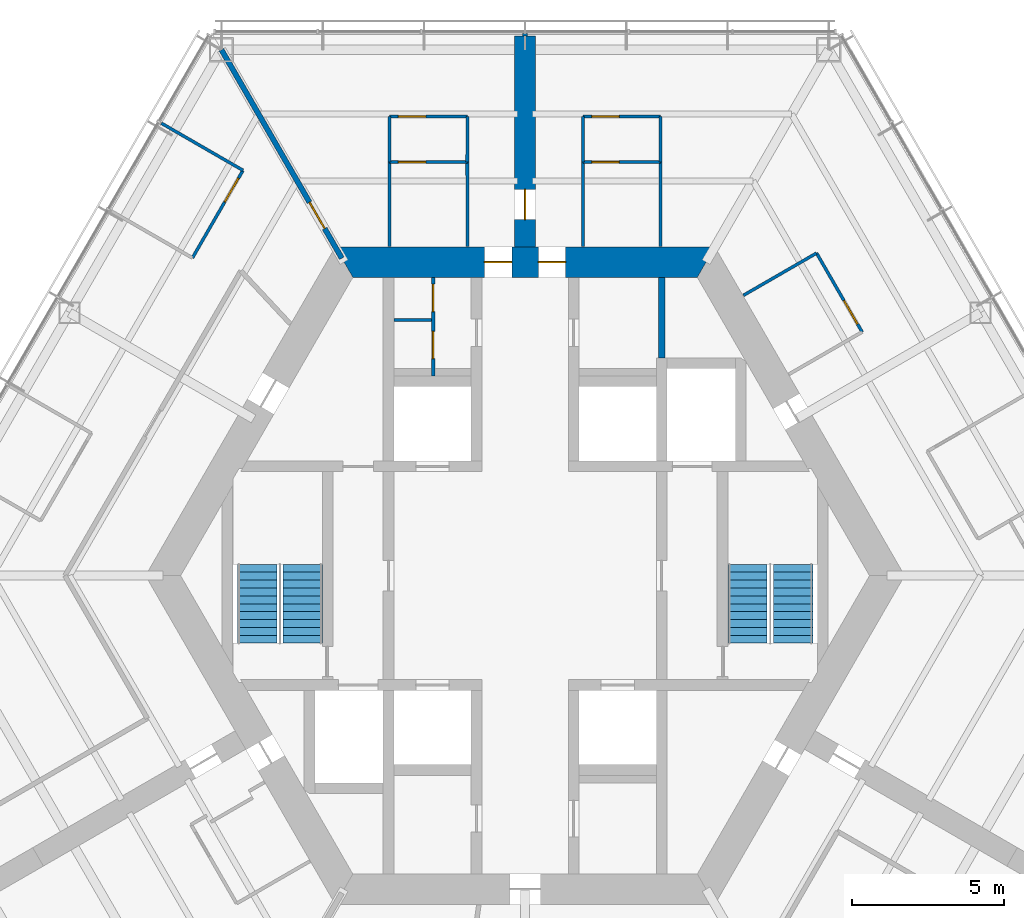
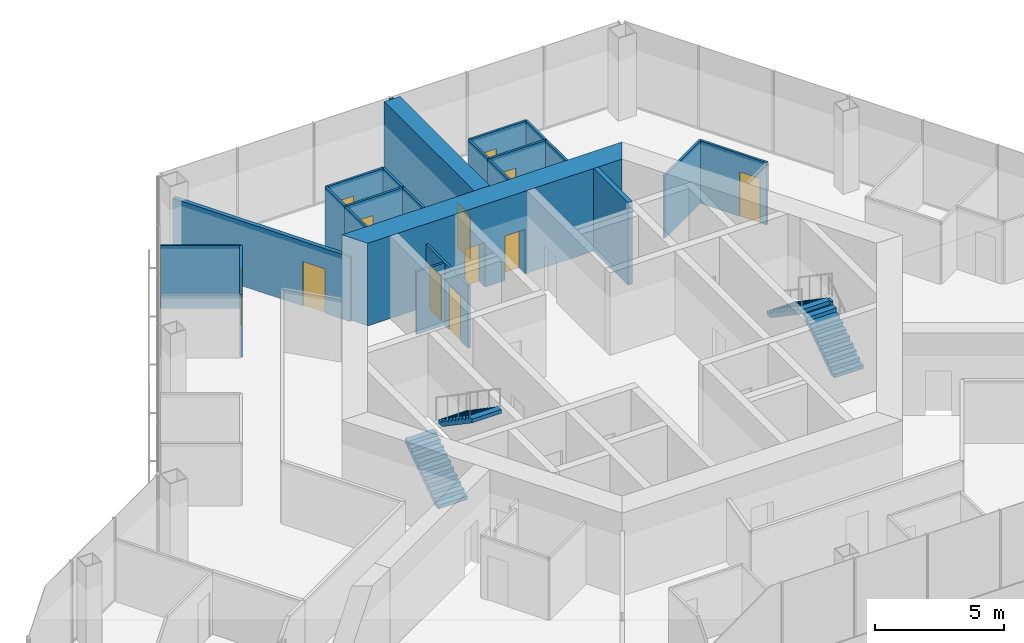
# One storey, part 15 of 18: 23 walls, 12 doors, 4 stair flights, 12 openings, 2 elements without a shape of their own.
"""IFC4 building model written with IfcOpenShell, lengths in metres."""

from ifc_helpers import new_model, si_unit, direction, frame, frame_2d, origin, place, context, subcontext, project, spatial, polyline, rectangle, outline, extrude, material, layer, layer_set, type_object, element, fill, aggregate, save


model = new_model("IFC4")

# Units and contexts
model_context = context("Model", 3, precision=1e-05, world=origin(), true_north=direction((0.0, 1.0)))
body_context = subcontext(model_context, "Body", "Model", "MODEL_VIEW")
ifc_project = project(units=[si_unit("LENGTHUNIT", "METRE"), si_unit("AREAUNIT", "SQUARE_METRE"), si_unit("VOLUMEUNIT", "CUBIC_METRE"), si_unit("PLANEANGLEUNIT", "RADIAN"), si_unit("MASSUNIT", "GRAM", prefix="KILO")], contexts=[model_context])

# Site, building, storey
site_placement = place(None, origin())
site = spatial("IfcSite", under=ifc_project, at=site_placement, CompositionType="ELEMENT")
building_placement = place(site_placement, origin())
building = spatial("IfcBuilding", under=site, at=building_placement, Name="Kasaneha Research Tower", CompositionType="ELEMENT")
storey_placement = place(building_placement, frame((0.0, 0.0, 187.699951171875)))
storey = spatial("IfcBuildingStorey", under=building, at=storey_placement, Name="L47", CompositionType="ELEMENT", Elevation=187.699951171875)

# Wall, openings, doors
ifc_material_1 = material(Name="Concrete Fc70", Category="concrete")
ifc_layer_1 = layer(ifc_material_1, 1.0)
ifc_layer_set_1 = layer_set([ifc_layer_1], Name="Core wall 1000 Fc70")
wall_type_1 = type_object("IfcWallType", Name="Core wall 1000 Fc70", PredefinedType="SHEAR", material=ifc_layer_set_1)
wall_1_placement = place(storey_placement, frame((5.961181640625, 10.324951171875, 0.0), z_axis=(0.0, 0.0, 1.0), x_axis=(-1.0, 0.0, 0.0)))
wall_1 = element("IfcWall", 1, at=wall_1_placement, inside=storey, type_object=wall_type_1, Name="Core wall 090 L47", PredefinedType="SHEAR", context=body_context, shape_type="SweptSolid", body=[
    extrude(outline(polyline([(-0.28857421875, -0.5), (4.62353515625, -0.5), (5.5234375, -0.5), (6.398681640625, -0.5), (7.298583984375, -0.5), (12.2109375, -0.5), (11.6337890625, 0.5), (7.298583984375, 0.5), (6.398681640625, 0.5), (5.5234375, 0.5), (4.62353515625, 0.5), (0.28857421875, 0.5), (-0.28857421875, -0.5)])), origin(), (0.0, 0.0, 1.0), 3.900146484375),
])
opening_1_placement = place(wall_1_placement, frame((6.398681640625, 0.0, 0.0)))
opening_1 = element("IfcOpeningElement", 2, at=opening_1_placement, cuts=wall_1, Name="Opening L47-D01", PredefinedType="OPENING", context=body_context, shape_type="SweptSolid", body=[
    extrude(rectangle(XDim=0.89990234375, YDim=2.10009765625, at=frame_2d((0.449951171875, 1.050048828125))), frame((0.0, 0.510009765625, 0.0), z_axis=(0.0, -1.0, 0.0), x_axis=(1.0, 0.0, 0.0)), (0.0, 0.0, 1.0), 1.02001953125),
])
opening_2_placement = place(wall_1_placement, frame((4.62353515625, 0.0, 0.0)))
opening_2 = element("IfcOpeningElement", 3, at=opening_2_placement, cuts=wall_1, Name="Opening L47-D02", PredefinedType="OPENING", context=body_context, shape_type="SweptSolid", body=[
    extrude(rectangle(XDim=0.89990234375, YDim=2.10009765625, at=frame_2d((0.449951171875, 1.050048828125))), frame((0.0, 0.510009765625, 0.0), z_axis=(0.0, -1.0, 0.0), x_axis=(1.0, 0.0, 0.0)), (0.0, 0.0, 1.0), 1.02001953125),
])
ifc_material_2 = material(Name="Steel", Category="steel")
door_type_1 = type_object("IfcDoorType", Name="Toilet door FD20 900x2100", OperationType="NOTDEFINED", PredefinedType="DOOR", material=ifc_material_2)
door_1_placement = place(opening_1_placement, origin())
door_1 = element("IfcDoor", 4, at=door_1_placement, inside=storey, type_object=door_type_1, Name="Core door north 1 L47-D01", OperationType="SINGLE_SWING_RIGHT", OverallHeight=2.10009765625, OverallWidth=0.89990234375, PredefinedType="DOOR", context=body_context, shape_type="SweptSolid", body=[
    extrude(rectangle(XDim=0.89990234375, YDim=2.10009765625, at=frame_2d((0.449951171875, 1.050048828125))), frame((0.0, 0.02490234375, 0.0), z_axis=(0.0, -1.0, 0.0), x_axis=(1.0, 0.0, 0.0)), (0.0, 0.0, 1.0), 0.050048828125),
])
fill(opening_1, door_1)
door_2_placement = place(opening_2_placement, origin())
door_2 = element("IfcDoor", 5, at=door_2_placement, inside=storey, type_object=door_type_1, Name="Core door north 2 L47-D02", OperationType="SINGLE_SWING_LEFT", OverallHeight=2.10009765625, OverallWidth=0.89990234375, PredefinedType="DOOR", context=body_context, shape_type="SweptSolid", body=[
    extrude(rectangle(XDim=0.89990234375, YDim=2.10009765625, at=frame_2d((0.449951171875, 1.050048828125))), frame((0.0, 0.02490234375, 0.0), z_axis=(0.0, -1.0, 0.0), x_axis=(1.0, 0.0, 0.0)), (0.0, 0.0, 1.0), 0.050048828125),
])
fill(opening_2, door_2)

ifc_material_3 = material(Name="Gypsum board on steel studs, one layer each side", Category="steel")
ifc_layer_2 = layer(ifc_material_3, 0.10009765625)
ifc_layer_set_2 = layer_set([ifc_layer_2], Name="Office partition 100")
wall_type_2 = type_object("IfcWallType", Name="Office partition 100", PredefinedType="PARTITIONING", material=ifc_layer_set_2)
wall_2_placement = place(storey_placement, frame((-3.02490234375, 6.574951171875, 0.0), z_axis=(0.0, 0.0, 1.0), x_axis=(0.0, 1.0, 0.0)))
wall_2 = element("IfcWall", 6, at=wall_2_placement, inside=storey, type_object=wall_type_2, Name="Office partition TBM1 L47", PredefinedType="PARTITIONING", context=body_context, shape_type="SweptSolid", body=[
    extrude(rectangle(XDim=3.25, YDim=0.10009765625, at=frame_2d((1.625, 0.0))), origin(), (0.0, 0.0, 1.0), 2.949951171875),
])
opening_3_placement = place(wall_2_placement, frame((0.574951171875, 0.0, 0.0)))
opening_3 = element("IfcOpeningElement", 7, at=opening_3_placement, cuts=wall_2, Name="Opening L47-D20", PredefinedType="OPENING", context=body_context, shape_type="SweptSolid", body=[
    extrude(rectangle(XDim=0.89990234375, YDim=2.10009765625, at=frame_2d((0.449951171875, 1.050048828125))), frame((0.0, 0.06005859375, 0.0), z_axis=(0.0, -1.0, 0.0), x_axis=(1.0, 0.0, 0.0)), (0.0, 0.0, 1.0), 0.1201171875),
])
opening_4_placement = place(wall_2_placement, frame((2.125, 0.0, 0.0)))
opening_4 = element("IfcOpeningElement", 8, at=opening_4_placement, cuts=wall_2, Name="Opening L47-D21", PredefinedType="OPENING", context=body_context, shape_type="SweptSolid", body=[
    extrude(rectangle(XDim=0.89990234375, YDim=2.10009765625, at=frame_2d((0.449951171875, 1.050048828125))), frame((0.0, 0.06005859375, 0.0), z_axis=(0.0, -1.0, 0.0), x_axis=(1.0, 0.0, 0.0)), (0.0, 0.0, 1.0), 0.1201171875),
])
ifc_material_4 = material(Name="Steel", Category="steel")
door_type_2 = type_object("IfcDoorType", Name="Toilet lobby door FD30 900x2100", OperationType="NOTDEFINED", PredefinedType="DOOR", material=ifc_material_4)
door_3_placement = place(opening_3_placement, origin())
door_3 = element("IfcDoor", 9, at=door_3_placement, inside=storey, type_object=door_type_2, Name="Men's WC door L47-D20", OperationType="SINGLE_SWING_RIGHT", OverallHeight=2.10009765625, OverallWidth=0.89990234375, PredefinedType="DOOR", context=body_context, shape_type="SweptSolid", body=[
    extrude(rectangle(XDim=0.89990234375, YDim=2.10009765625, at=frame_2d((0.449951171875, 1.050048828125))), frame((0.0, 0.02490234375, 0.0), z_axis=(0.0, -1.0, 0.0), x_axis=(1.0, 0.0, 0.0)), (0.0, 0.0, 1.0), 0.050048828125),
])
fill(opening_3, door_3)
door_4_placement = place(opening_4_placement, origin())
door_4 = element("IfcDoor", 10, at=door_4_placement, inside=storey, type_object=door_type_2, Name="Cleaner's store door L47-D21", OperationType="SINGLE_SWING_RIGHT", OverallHeight=2.10009765625, OverallWidth=0.89990234375, PredefinedType="DOOR", context=body_context, shape_type="SweptSolid", body=[
    extrude(rectangle(XDim=0.89990234375, YDim=2.10009765625, at=frame_2d((0.449951171875, 1.050048828125))), frame((0.0, 0.02490234375, 0.0), z_axis=(0.0, -1.0, 0.0), x_axis=(1.0, 0.0, 0.0)), (0.0, 0.0, 1.0), 0.050048828125),
])
fill(opening_4, door_4)

# Wall
wall_3_placement = place(storey_placement, frame((-3.074951171875, 8.425048828125, 0.0), z_axis=(0.0, 0.0, 1.0), x_axis=(-1.0, 0.0, 0.0)))
element("IfcWall", 11, at=wall_3_placement, inside=storey, type_object=wall_type_2, Name="Office partition TBM2 L47", PredefinedType="PARTITIONING", context=body_context, shape_type="SweptSolid", body=[
    extrude(rectangle(XDim=1.25, YDim=0.10009765625, at=frame_2d((0.625, 0.0))), origin(), (0.0, 0.0, 1.0), 2.949951171875),
])

# Wall, opening, door
wall_4_placement = place(storey_placement, frame((1.89990234375, 13.6201171875, 0.0), z_axis=(0.0, 0.0, 1.0), x_axis=(1.0, 0.0, 0.0)))
wall_4 = element("IfcWall", 12, at=wall_4_placement, inside=storey, type_object=wall_type_2, Name="Office partition FAE01 L47", PredefinedType="PARTITIONING", context=body_context, shape_type="SweptSolid", body=[
    extrude(rectangle(XDim=2.565185546875, YDim=0.10009765625, at=frame_2d((1.28271484375, 0.0))), origin(), (0.0, 0.0, 1.0), 2.949951171875),
])
opening_5_placement = place(wall_4_placement, frame((0.300048828125, 0.0, 0.0)))
opening_5 = element("IfcOpeningElement", 13, at=opening_5_placement, cuts=wall_4, Name="Opening L47-D24", PredefinedType="OPENING", context=body_context, shape_type="SweptSolid", body=[
    extrude(rectangle(XDim=0.89990234375, YDim=2.10009765625, at=frame_2d((0.449951171875, 1.050048828125))), frame((0.0, 0.06005859375, 0.0), z_axis=(0.0, -1.0, 0.0), x_axis=(1.0, 0.0, 0.0)), (0.0, 0.0, 1.0), 0.1201171875),
])
door_5_placement = place(opening_5_placement, origin())
door_5 = element("IfcDoor", 14, at=door_5_placement, inside=storey, type_object=door_type_2, Name="Women's WC door L47-D24", OperationType="SINGLE_SWING_LEFT", OverallHeight=2.10009765625, OverallWidth=0.89990234375, PredefinedType="DOOR", context=body_context, shape_type="SweptSolid", body=[
    extrude(rectangle(XDim=0.89990234375, YDim=2.10009765625, at=frame_2d((0.449951171875, 1.050048828125))), frame((0.0, 0.02490234375, 0.0), z_axis=(0.0, -1.0, 0.0), x_axis=(1.0, 0.0, 0.0)), (0.0, 0.0, 1.0), 0.050048828125),
])
fill(opening_5, door_5)

# Walls
for number, where, z_axis, x_axis, name in (
    (15, (1.89990234375, 10.844970703125, 0.0), (0.0, 0.0, 1.0), (0.001668567099, 0.999998607941, 0.0), "Office partition FAE02 L47"),
    (16, (4.460205078125, 13.625, 0.0), (0.0, 0.0, 1.0), (0.001756386155, -0.999998457553, 0.0), "Office partition FAE03 L47"),
):
    element("IfcWall", number, at=place(storey_placement, frame(where, z_axis=z_axis, x_axis=x_axis)), inside=storey, type_object=wall_type_2, Name=name, PredefinedType="PARTITIONING", context=body_context, shape_type="SweptSolid", body=[
        extrude(rectangle(XDim=2.780029296875, YDim=0.10009765625, at=frame_2d((1.39013671875, 0.0))), origin(), (0.0, 0.0, 1.0), 2.949951171875),
    ])

# Wall, opening, door
wall_5_placement = place(storey_placement, frame((1.89990234375, 15.125, 0.0), z_axis=(0.0, 0.0, 1.0), x_axis=(1.0, 0.0, 0.0)))
wall_5 = element("IfcWall", 17, at=wall_5_placement, inside=storey, type_object=wall_type_2, Name="Office partition FAE04 L47", PredefinedType="PARTITIONING", context=body_context, shape_type="SweptSolid", body=[
    extrude(rectangle(XDim=2.565185546875, YDim=0.10009765625, at=frame_2d((1.28271484375, 0.0))), origin(), (0.0, 0.0, 1.0), 2.949951171875),
])
opening_6_placement = place(wall_5_placement, frame((0.300048828125, 0.0, 0.0)))
opening_6 = element("IfcOpeningElement", 18, at=opening_6_placement, cuts=wall_5, Name="Opening L47-D25", PredefinedType="OPENING", context=body_context, shape_type="SweptSolid", body=[
    extrude(rectangle(XDim=0.89990234375, YDim=2.10009765625, at=frame_2d((0.449951171875, 1.050048828125))), frame((0.0, 0.06005859375, 0.0), z_axis=(0.0, -1.0, 0.0), x_axis=(1.0, 0.0, 0.0)), (0.0, 0.0, 1.0), 0.1201171875),
])
door_6_placement = place(opening_6_placement, origin())
door_6 = element("IfcDoor", 19, at=door_6_placement, inside=storey, type_object=door_type_2, Name="Toilet lobby door L47-D25", OperationType="SINGLE_SWING_LEFT", OverallHeight=2.10009765625, OverallWidth=0.89990234375, PredefinedType="DOOR", context=body_context, shape_type="SweptSolid", body=[
    extrude(rectangle(XDim=0.89990234375, YDim=2.10009765625, at=frame_2d((0.449951171875, 1.050048828125))), frame((0.0, 0.02490234375, 0.0), z_axis=(0.0, -1.0, 0.0), x_axis=(1.0, 0.0, 0.0)), (0.0, 0.0, 1.0), 0.050048828125),
])
fill(opening_6, door_6)

# Walls
for number, where, z_axis, x_axis, name in (
    (20, (1.904541015625, 13.625, 0.0), (0.0, 0.0, 1.0), (-0.00309243313, 0.999995218417, 0.0), "Office partition FAE05 L47"),
    (21, (4.465087890625, 15.125, 0.0), (0.0, 0.0, 1.0), (-0.003255191087, -0.999994701851, 0.0), "Office partition FAE06 L47"),
):
    element("IfcWall", number, at=place(storey_placement, frame(where, z_axis=z_axis, x_axis=x_axis)), inside=storey, type_object=wall_type_2, Name=name, PredefinedType="PARTITIONING", context=body_context, shape_type="SweptSolid", body=[
        extrude(rectangle(XDim=1.5, YDim=0.10009765625, at=frame_2d((0.75, 0.0))), origin(), (0.0, 0.0, 1.0), 2.949951171875),
    ])
wall_6_placement = place(storey_placement, frame((7.19189453125, 9.23291015625, 0.0), z_axis=(0.0, 0.0, 1.0), x_axis=(0.866018876994, 0.500011304563, 0.0)))
element("IfcWall", 22, at=wall_6_placement, inside=storey, type_object=wall_type_2, Name="Office partition FAE07 L47", PredefinedType="PARTITIONING", context=body_context, shape_type="SweptSolid", body=[
    extrude(rectangle(XDim=2.7802734375, YDim=0.10009765625, at=frame_2d((1.39013671875, 0.0))), origin(), (0.0, 0.0, 1.0), 2.949951171875),
])

# Wall, opening, door
wall_7_placement = place(storey_placement, frame((9.599609375, 10.623046875, 0.0), z_axis=(0.0, 0.0, 1.0), x_axis=(0.499990139034, -0.866031096941, 0.0)))
wall_7 = element("IfcWall", 23, at=wall_7_placement, inside=storey, type_object=wall_type_2, Name="Office partition FAE08 L47", PredefinedType="PARTITIONING", context=body_context, shape_type="SweptSolid", body=[
    extrude(rectangle(XDim=3.0, YDim=0.10009765625, at=frame_2d((1.5, 0.0))), origin(), (0.0, 0.0, 1.0), 2.949951171875),
])
opening_7_placement = place(wall_7_placement, frame((1.800048828125, 0.0, 0.0)))
opening_7 = element("IfcOpeningElement", 24, at=opening_7_placement, cuts=wall_7, Name="Opening L47-D26", PredefinedType="OPENING", context=body_context, shape_type="SweptSolid", body=[
    extrude(rectangle(XDim=0.89990234375, YDim=2.10009765625, at=frame_2d((0.449951171875, 1.050048828125))), frame((0.0, 0.06005859375, 0.0), z_axis=(0.0, -1.0, 0.0), x_axis=(1.0, 0.0, 0.0)), (0.0, 0.0, 1.0), 0.1201171875),
])
ifc_material_5 = material(Name="Timber veneer", Category="wood")
door_type_3 = type_object("IfcDoorType", Name="Office door 900x2100", OperationType="SINGLE_SWING_LEFT", PredefinedType="DOOR", material=ifc_material_5)
door_7_placement = place(opening_7_placement, origin())
door_7 = element("IfcDoor", 25, at=door_7_placement, inside=storey, type_object=door_type_3, Name="Pantry door L47-D26", OperationType="SINGLE_SWING_RIGHT", OverallHeight=2.10009765625, OverallWidth=0.89990234375, PredefinedType="DOOR", context=body_context, shape_type="SweptSolid", body=[
    extrude(rectangle(XDim=0.89990234375, YDim=2.10009765625, at=frame_2d((0.449951171875, 1.050048828125))), frame((0.0, 0.02490234375, 0.0), z_axis=(0.0, -1.0, 0.0), x_axis=(1.0, 0.0, 0.0)), (0.0, 0.0, 1.0), 0.050048828125),
])
fill(opening_7, door_7)

wall_8_placement = place(storey_placement, frame((-4.470947265625, 13.6201171875, 0.0), z_axis=(0.0, 0.0, 1.0), x_axis=(1.0, 0.0, 0.0)))
wall_8 = element("IfcWall", 26, at=wall_8_placement, inside=storey, type_object=wall_type_2, Name="Office partition FAW01 L47", PredefinedType="PARTITIONING", context=body_context, shape_type="SweptSolid", body=[
    extrude(rectangle(XDim=2.571044921875, YDim=0.10009765625, at=frame_2d((1.28564453125, 0.0))), origin(), (0.0, 0.0, 1.0), 2.949951171875),
])
opening_8_placement = place(wall_8_placement, frame((0.300048828125, 0.0, 0.0)))
opening_8 = element("IfcOpeningElement", 27, at=opening_8_placement, cuts=wall_8, Name="Opening L47-D29", PredefinedType="OPENING", context=body_context, shape_type="SweptSolid", body=[
    extrude(rectangle(XDim=0.89990234375, YDim=2.10009765625, at=frame_2d((0.449951171875, 1.050048828125))), frame((0.0, 0.06005859375, 0.0), z_axis=(0.0, -1.0, 0.0), x_axis=(1.0, 0.0, 0.0)), (0.0, 0.0, 1.0), 0.1201171875),
])
door_8_placement = place(opening_8_placement, origin())
door_8 = element("IfcDoor", 28, at=door_8_placement, inside=storey, type_object=door_type_2, Name="Men's WC door L47-D29", OperationType="SINGLE_SWING_LEFT", OverallHeight=2.10009765625, OverallWidth=0.89990234375, PredefinedType="DOOR", context=body_context, shape_type="SweptSolid", body=[
    extrude(rectangle(XDim=0.89990234375, YDim=2.10009765625, at=frame_2d((0.449951171875, 1.050048828125))), frame((0.0, 0.02490234375, 0.0), z_axis=(0.0, -1.0, 0.0), x_axis=(1.0, 0.0, 0.0)), (0.0, 0.0, 1.0), 0.050048828125),
])
fill(opening_8, door_8)

# Walls
for number, where, z_axis, x_axis, name in (
    (29, (-4.470947265625, 10.844970703125, 0.0), (0.0, 0.0, 1.0), (0.001668567099, 0.999998607941, 0.0), "Office partition FAW02 L47"),
    (30, (-1.90478515625, 13.625, 0.0), (0.0, 0.0, 1.0), (0.001756386155, -0.999998457553, 0.0), "Office partition FAW03 L47"),
):
    element("IfcWall", number, at=place(storey_placement, frame(where, z_axis=z_axis, x_axis=x_axis)), inside=storey, type_object=wall_type_2, Name=name, PredefinedType="PARTITIONING", context=body_context, shape_type="SweptSolid", body=[
        extrude(rectangle(XDim=2.780029296875, YDim=0.10009765625, at=frame_2d((1.39013671875, 0.0))), origin(), (0.0, 0.0, 1.0), 2.949951171875),
    ])

# Wall, opening, door
wall_9_placement = place(storey_placement, frame((-4.470947265625, 15.125, 0.0), z_axis=(0.0, 0.0, 1.0), x_axis=(1.0, 0.0, 0.0)))
wall_9 = element("IfcWall", 31, at=wall_9_placement, inside=storey, type_object=wall_type_2, Name="Office partition FAW04 L47", PredefinedType="PARTITIONING", context=body_context, shape_type="SweptSolid", body=[
    extrude(rectangle(XDim=2.571044921875, YDim=0.10009765625, at=frame_2d((1.28564453125, 0.0))), origin(), (0.0, 0.0, 1.0), 2.949951171875),
])
opening_9_placement = place(wall_9_placement, frame((0.300048828125, 0.0, 0.0)))
opening_9 = element("IfcOpeningElement", 32, at=opening_9_placement, cuts=wall_9, Name="Opening L47-D30", PredefinedType="OPENING", context=body_context, shape_type="SweptSolid", body=[
    extrude(rectangle(XDim=0.89990234375, YDim=2.10009765625, at=frame_2d((0.449951171875, 1.050048828125))), frame((0.0, 0.06005859375, 0.0), z_axis=(0.0, -1.0, 0.0), x_axis=(1.0, 0.0, 0.0)), (0.0, 0.0, 1.0), 0.1201171875),
])
door_9_placement = place(opening_9_placement, origin())
door_9 = element("IfcDoor", 33, at=door_9_placement, inside=storey, type_object=door_type_2, Name="Toilet lobby door L47-D30", OperationType="SINGLE_SWING_LEFT", OverallHeight=2.10009765625, OverallWidth=0.89990234375, PredefinedType="DOOR", context=body_context, shape_type="SweptSolid", body=[
    extrude(rectangle(XDim=0.89990234375, YDim=2.10009765625, at=frame_2d((0.449951171875, 1.050048828125))), frame((0.0, 0.02490234375, 0.0), z_axis=(0.0, -1.0, 0.0), x_axis=(1.0, 0.0, 0.0)), (0.0, 0.0, 1.0), 0.050048828125),
])
fill(opening_9, door_9)

# Walls
for number, where, z_axis, x_axis, name in (
    (34, (-4.46630859375, 13.625, 0.0), (0.0, 0.0, 1.0), (-0.00309243313, 0.999995218417, 0.0), "Office partition FAW05 L47"),
    (35, (-1.89990234375, 15.125, 0.0), (0.0, 0.0, 1.0), (-0.003255191087, -0.999994701851, 0.0), "Office partition FAW06 L47"),
):
    element("IfcWall", number, at=place(storey_placement, frame(where, z_axis=z_axis, x_axis=x_axis)), inside=storey, type_object=wall_type_2, Name=name, PredefinedType="PARTITIONING", context=body_context, shape_type="SweptSolid", body=[
        extrude(rectangle(XDim=1.5, YDim=0.10009765625, at=frame_2d((0.75, 0.0))), origin(), (0.0, 0.0, 1.0), 2.949951171875),
    ])
wall_10_placement = place(storey_placement, frame((-11.979736328125, 14.901611328125, 0.0), z_axis=(0.0, 0.0, 1.0), x_axis=(0.866042875753, -0.499969736442, 0.0)))
element("IfcWall", 36, at=wall_10_placement, inside=storey, type_object=wall_type_2, Name="Office partition FBN12 L47", PredefinedType="PARTITIONING", context=body_context, shape_type="SweptSolid", body=[
    extrude(rectangle(XDim=3.105224609375, YDim=0.10009765625, at=frame_2d((1.552734375, 0.0))), origin(), (0.0, 0.0, 1.0), 2.949951171875),
])

# Wall, opening, door
wall_11_placement = place(storey_placement, frame((-9.29052734375, 13.34912109375, 0.0), z_axis=(0.0, 0.0, 1.0), x_axis=(-0.500033344505, -0.86600615147, 0.0)))
wall_11 = element("IfcWall", 37, at=wall_11_placement, inside=storey, type_object=wall_type_2, Name="Office partition FBN14 L47", PredefinedType="PARTITIONING", context=body_context, shape_type="SweptSolid", body=[
    extrude(rectangle(XDim=3.330810546875, YDim=0.10009765625, at=frame_2d((1.66552734375, 0.0))), origin(), (0.0, 0.0, 1.0), 2.949951171875),
])
opening_10_placement = place(wall_11_placement, frame((0.300048828125, 0.0, 0.0)))
opening_10 = element("IfcOpeningElement", 38, at=opening_10_placement, cuts=wall_11, Name="Opening L47-D35", PredefinedType="OPENING", context=body_context, shape_type="SweptSolid", body=[
    extrude(rectangle(XDim=0.89990234375, YDim=2.10009765625, at=frame_2d((0.449951171875, 1.050048828125))), frame((0.0, 0.06005859375, 0.0), z_axis=(0.0, -1.0, 0.0), x_axis=(1.0, 0.0, 0.0)), (0.0, 0.0, 1.0), 0.1201171875),
])
door_10_placement = place(opening_10_placement, origin())
door_10 = element("IfcDoor", 39, at=door_10_placement, inside=storey, type_object=door_type_3, Name="Workroom door L47-D35", OperationType="SINGLE_SWING_LEFT", OverallHeight=2.10009765625, OverallWidth=0.89990234375, PredefinedType="DOOR", context=body_context, shape_type="SweptSolid", body=[
    extrude(rectangle(XDim=0.89990234375, YDim=2.10009765625, at=frame_2d((0.449951171875, 1.050048828125))), frame((0.0, 0.02490234375, 0.0), z_axis=(0.0, -1.0, 0.0), x_axis=(1.0, 0.0, 0.0)), (0.0, 0.0, 1.0), 0.050048828125),
])
fill(opening_10, door_10)

# Wall
ifc_material_6 = material(Name="Concrete block", Category="concrete")
ifc_layer_3 = layer(ifc_material_6, 0.199951171875)
ifc_layer_set_3 = layer_set([ifc_layer_3], Name="Riser enclosure wall 200")
wall_type_3 = type_object("IfcWallType", Name="Riser enclosure wall 200", PredefinedType="STANDARD", material=ifc_layer_set_3)
wall_12_placement = place(storey_placement, frame((4.5, 7.175048828125, 0.0), z_axis=(0.0, 0.0, 1.0), x_axis=(0.0, 1.0, 0.0)))
element("IfcWall", 40, at=wall_12_placement, inside=storey, type_object=wall_type_3, Name="Riser enclosure wall L47", PredefinedType="STANDARD", context=body_context, shape_type="SweptSolid", body=[
    extrude(rectangle(XDim=2.64990234375, YDim=0.199951171875, at=frame_2d((1.324951171875, 0.0))), origin(), (0.0, 0.0, 1.0), 3.900146484375),
])

# Wall, opening, door
ifc_material_7 = material(Name="Concrete Fc70", Category="concrete")
ifc_layer_4 = layer(ifc_material_7, 0.699951171875)
ifc_layer_set_4 = layer_set([ifc_layer_4], Name="Spine wall 700 Fc70")
wall_type_4 = type_object("IfcWallType", Name="Spine wall 700 Fc70", PredefinedType="SHEAR", material=ifc_layer_set_4)
wall_13_placement = place(storey_placement, frame((0.0, 10.824951171875, 0.0), z_axis=(0.0, 0.0, 1.0), x_axis=(0.0, 1.0, 0.0)))
wall_13 = element("IfcWall", 41, at=wall_13_placement, inside=storey, type_object=wall_type_4, Name="Spine wall A L47", PredefinedType="SHEAR", context=body_context, shape_type="SweptSolid", body=[
    extrude(rectangle(XDim=6.945556640625, YDim=0.699951171875, at=frame_2d((3.47265625, 0.0))), origin(), (0.0, 0.0, 1.0), 3.900146484375),
])
opening_11_placement = place(wall_13_placement, frame((0.89990234375, 0.0, 0.0)))
opening_11 = element("IfcOpeningElement", 42, at=opening_11_placement, cuts=wall_13, Name="Opening L47-D17", PredefinedType="OPENING", context=body_context, shape_type="SweptSolid", body=[
    extrude(rectangle(XDim=1.0, YDim=2.10009765625, at=frame_2d((0.5, 1.050048828125))), frame((0.0, 0.35986328125, 0.0), z_axis=(0.0, -1.0, 0.0), x_axis=(1.0, 0.0, 0.0)), (0.0, 0.0, 1.0), 0.719970703125),
])
ifc_material_8 = material(Name="Steel", Category="steel")
door_type_4 = type_object("IfcDoorType", Name="Specified fire door FD60 1000x2100", OperationType="NOTDEFINED", PredefinedType="DOOR", material=ifc_material_8)
door_11_placement = place(opening_11_placement, origin())
door_11 = element("IfcDoor", 43, at=door_11_placement, inside=storey, type_object=door_type_4, Name="Spine doorway A L47-D17", OperationType="SINGLE_SWING_LEFT", OverallHeight=2.10009765625, OverallWidth=1.0, PredefinedType="DOOR", context=body_context, shape_type="SweptSolid", body=[
    extrude(rectangle(XDim=1.0, YDim=2.10009765625, at=frame_2d((0.5, 1.050048828125))), frame((0.0, 0.02490234375, 0.0), z_axis=(0.0, -1.0, 0.0), x_axis=(1.0, 0.0, 0.0)), (0.0, 0.0, 1.0), 0.050048828125),
])
fill(opening_11, door_11)

ifc_material_9 = material(Name="Gypsum board on steel studs, two layers each side", Category="steel")
ifc_layer_5 = layer(ifc_material_9, 0.175048828125)
ifc_layer_set_5 = layer_set([ifc_layer_5], Name="Tenancy fire partition 175")
wall_type_5 = type_object("IfcWallType", Name="Tenancy fire partition 175", PredefinedType="PARTITIONING", material=ifc_layer_set_5)
wall_14_placement = place(storey_placement, frame((-6.034912109375, 10.45263671875, 0.0), z_axis=(0.0, 0.0, 1.0), x_axis=(-0.499989830942, 0.866031274813, 0.0)))
wall_14 = element("IfcWall", 44, at=wall_14_placement, inside=storey, type_object=wall_type_5, Name="Tenancy fire partition T120 L47", PredefinedType="PARTITIONING", context=body_context, shape_type="SweptSolid", body=[
    extrude(rectangle(XDim=7.930419921875, YDim=0.175048828125, at=frame_2d((3.96533203125, 0.0))), origin(), (0.0, 0.0, 1.0), 3.050048828125),
])
opening_12_placement = place(wall_14_placement, frame((1.1298828125, 0.0, 0.0)))
opening_12 = element("IfcOpeningElement", 45, at=opening_12_placement, cuts=wall_14, Name="Opening L47-D22", PredefinedType="OPENING", context=body_context, shape_type="SweptSolid", body=[
    extrude(rectangle(XDim=1.0, YDim=2.10009765625, at=frame_2d((0.5, 1.050048828125))), frame((0.0, 0.09765625, 0.0), z_axis=(0.0, -1.0, 0.0), x_axis=(1.0, 0.0, 0.0)), (0.0, 0.0, 1.0), 0.195068359375),
])
ifc_material_10 = material(Name="Steel", Category="steel")
door_type_5 = type_object("IfcDoorType", Name="Suite entrance door FD60 1000x2100", OperationType="NOTDEFINED", PredefinedType="DOOR", material=ifc_material_10)
door_12_placement = place(opening_12_placement, origin())
door_12 = element("IfcDoor", 46, at=door_12_placement, inside=storey, type_object=door_type_5, Name="Connecting door L47-D22", OperationType="SINGLE_SWING_LEFT", OverallHeight=2.10009765625, OverallWidth=1.0, PredefinedType="DOOR", context=body_context, shape_type="SweptSolid", body=[
    extrude(rectangle(XDim=1.0, YDim=2.10009765625, at=frame_2d((0.5, 1.050048828125))), frame((0.0, 0.02490234375, 0.0), z_axis=(0.0, -1.0, 0.0), x_axis=(1.0, 0.0, 0.0)), (0.0, 0.0, 1.0), 0.050048828125),
])
fill(opening_12, door_12)

# Wall
wall_15_placement = place(storey_placement, frame((0.0, 17.7705078125, 0.0), z_axis=(0.0, 0.0, 1.0), x_axis=(0.0, 1.0, 0.0)))
element("IfcWall", 47, at=wall_15_placement, inside=storey, type_object=wall_type_5, Name="Spine wall closer SW3-700 L47", PredefinedType="PARTITIONING", context=body_context, shape_type="SweptSolid", body=[
    extrude(rectangle(XDim=0.080078125, YDim=0.175048828125, at=frame_2d((0.0400390625, 0.0))), origin(), (0.0, 0.0, 1.0), 3.900146484375),
])

# Stair, stair flights
ifc_material_11 = material(Name="Concrete Fc24", Category="concrete")
stair_type = type_object("IfcStairType", Name="Half-turn stair 22 risers", PredefinedType="HALF_TURN_STAIR", material=ifc_material_11)
stair_1_placement = place(storey_placement, origin())
stair_1 = element("IfcStair", 48, at=stair_1_placement, inside=storey, type_object=stair_type, Name="Stair 1 L47", PredefinedType="HALF_TURN_STAIR")
ifc_material_12 = material(Name="Concrete Fc24", Category="concrete")
stair_flight_type = type_object("IfcStairFlightType", Name="Stair flight 11 risers 177.3", PredefinedType="STRAIGHT", material=ifc_material_12)
stair_flight_1_placement = place(storey_placement, frame((8.824951171875, -2.22509765625, 0.0), z_axis=(0.0, 0.0, 1.0), x_axis=(0.0, 1.0, 0.0)))
stair_flight_1 = element("IfcStairFlight", 49, at=stair_flight_1_placement, type_object=stair_flight_type, Name="ST1-22R flight 1", NumberOfRisers=11, NumberOfTreads=10, PredefinedType="STRAIGHT", RiserHeight=0.177272727, TreadLength=0.26, context=body_context, shape_type="SweptSolid", body=[
    extrude(outline(polyline([(0.0, 0.0), (0.0, 0.17724609375), (0.260009765625, 0.17724609375), (0.260009765625, 0.3544921875), (0.52001953125, 0.3544921875), (0.52001953125, 0.53173828125), (0.780029296875, 0.53173828125), (0.780029296875, 0.708984375), (1.0400390625, 0.708984375), (1.0400390625, 0.886474609375), (1.300048828125, 0.886474609375), (1.300048828125, 1.063720703125), (1.56005859375, 1.063720703125), (1.56005859375, 1.240966796875), (1.820068359375, 1.240966796875), (1.820068359375, 1.418212890625), (2.080078125, 1.418212890625), (2.080078125, 1.595458984375), (2.340087890625, 1.595458984375), (2.340087890625, 1.772705078125), (2.60009765625, 1.772705078125), (2.60009765625, 1.949951171875), (2.60009765625, 1.59130859375), (0.26611328125, 0.0), (0.0, 0.0)])), frame((0.0, 0.64990234375, 0.0), z_axis=(0.0, -1.0, 0.0), x_axis=(1.0, 0.0, 0.0)), (0.0, 0.0, 1.0), 1.300048828125),
])
stair_flight_2_placement = place(storey_placement, frame((7.324951171875, 0.375, 1.949951171875), z_axis=(0.0, 0.0, 1.0), x_axis=(0.0, -1.0, 0.0)))
stair_flight_2 = element("IfcStairFlight", 50, at=stair_flight_2_placement, type_object=stair_flight_type, Name="ST1-22R flight 2", NumberOfRisers=11, NumberOfTreads=10, PredefinedType="STRAIGHT", RiserHeight=0.177272727, TreadLength=0.26, context=body_context, shape_type="SweptSolid", body=[
    extrude(outline(polyline([(0.0, 0.0), (0.0, 0.17724609375), (0.260009765625, 0.17724609375), (0.260009765625, 0.3544921875), (0.52001953125, 0.3544921875), (0.52001953125, 0.53173828125), (0.780029296875, 0.53173828125), (0.780029296875, 0.708984375), (1.0400390625, 0.708984375), (1.0400390625, 0.886474609375), (1.300048828125, 0.886474609375), (1.300048828125, 1.063720703125), (1.56005859375, 1.063720703125), (1.56005859375, 1.240966796875), (1.820068359375, 1.240966796875), (1.820068359375, 1.418212890625), (2.080078125, 1.418212890625), (2.080078125, 1.595458984375), (2.340087890625, 1.595458984375), (2.340087890625, 1.772705078125), (2.60009765625, 1.772705078125), (2.60009765625, 1.949951171875), (2.60009765625, 1.59130859375), (0.26611328125, 0.0), (0.0, 0.0)])), frame((0.0, 0.64990234375, 0.0), z_axis=(0.0, -1.0, 0.0), x_axis=(1.0, 0.0, 0.0)), (0.0, 0.0, 1.0), 1.300048828125),
])
aggregate(stair_1, [stair_flight_1, stair_flight_2])

stair_2_placement = place(storey_placement, origin())
stair_2 = element("IfcStair", 51, at=stair_2_placement, inside=storey, type_object=stair_type, Name="Stair 2 L47", PredefinedType="HALF_TURN_STAIR")
stair_flight_3_placement = place(storey_placement, frame((-8.824951171875, -2.22509765625, 0.0), z_axis=(0.0, 0.0, 1.0), x_axis=(0.0, 1.0, 0.0)))
stair_flight_3 = element("IfcStairFlight", 52, at=stair_flight_3_placement, type_object=stair_flight_type, Name="ST2-22R flight 1", NumberOfRisers=11, NumberOfTreads=10, PredefinedType="STRAIGHT", RiserHeight=0.177272727, TreadLength=0.26, context=body_context, shape_type="SweptSolid", body=[
    extrude(outline(polyline([(0.0, 0.0), (0.0, 0.17724609375), (0.260009765625, 0.17724609375), (0.260009765625, 0.3544921875), (0.52001953125, 0.3544921875), (0.52001953125, 0.53173828125), (0.780029296875, 0.53173828125), (0.780029296875, 0.708984375), (1.0400390625, 0.708984375), (1.0400390625, 0.886474609375), (1.300048828125, 0.886474609375), (1.300048828125, 1.063720703125), (1.56005859375, 1.063720703125), (1.56005859375, 1.240966796875), (1.820068359375, 1.240966796875), (1.820068359375, 1.418212890625), (2.080078125, 1.418212890625), (2.080078125, 1.595458984375), (2.340087890625, 1.595458984375), (2.340087890625, 1.772705078125), (2.60009765625, 1.772705078125), (2.60009765625, 1.949951171875), (2.60009765625, 1.59130859375), (0.26611328125, 0.0), (0.0, 0.0)])), frame((0.0, 0.64990234375, 0.0), z_axis=(0.0, -1.0, 0.0), x_axis=(1.0, 0.0, 0.0)), (0.0, 0.0, 1.0), 1.300048828125),
])
stair_flight_4_placement = place(storey_placement, frame((-7.324951171875, 0.375, 1.949951171875), z_axis=(0.0, 0.0, 1.0), x_axis=(0.0, -1.0, 0.0)))
stair_flight_4 = element("IfcStairFlight", 53, at=stair_flight_4_placement, type_object=stair_flight_type, Name="ST2-22R flight 2", NumberOfRisers=11, NumberOfTreads=10, PredefinedType="STRAIGHT", RiserHeight=0.177272727, TreadLength=0.26, context=body_context, shape_type="SweptSolid", body=[
    extrude(outline(polyline([(0.0, 0.0), (0.0, 0.17724609375), (0.260009765625, 0.17724609375), (0.260009765625, 0.3544921875), (0.52001953125, 0.3544921875), (0.52001953125, 0.53173828125), (0.780029296875, 0.53173828125), (0.780029296875, 0.708984375), (1.0400390625, 0.708984375), (1.0400390625, 0.886474609375), (1.300048828125, 0.886474609375), (1.300048828125, 1.063720703125), (1.56005859375, 1.063720703125), (1.56005859375, 1.240966796875), (1.820068359375, 1.240966796875), (1.820068359375, 1.418212890625), (2.080078125, 1.418212890625), (2.080078125, 1.595458984375), (2.340087890625, 1.595458984375), (2.340087890625, 1.772705078125), (2.60009765625, 1.772705078125), (2.60009765625, 1.949951171875), (2.60009765625, 1.59130859375), (0.26611328125, 0.0), (0.0, 0.0)])), frame((0.0, 0.64990234375, 0.0), z_axis=(0.0, -1.0, 0.0), x_axis=(1.0, 0.0, 0.0)), (0.0, 0.0, 1.0), 1.300048828125),
])
aggregate(stair_2, [stair_flight_3, stair_flight_4])

save(model, "model.ifc")
